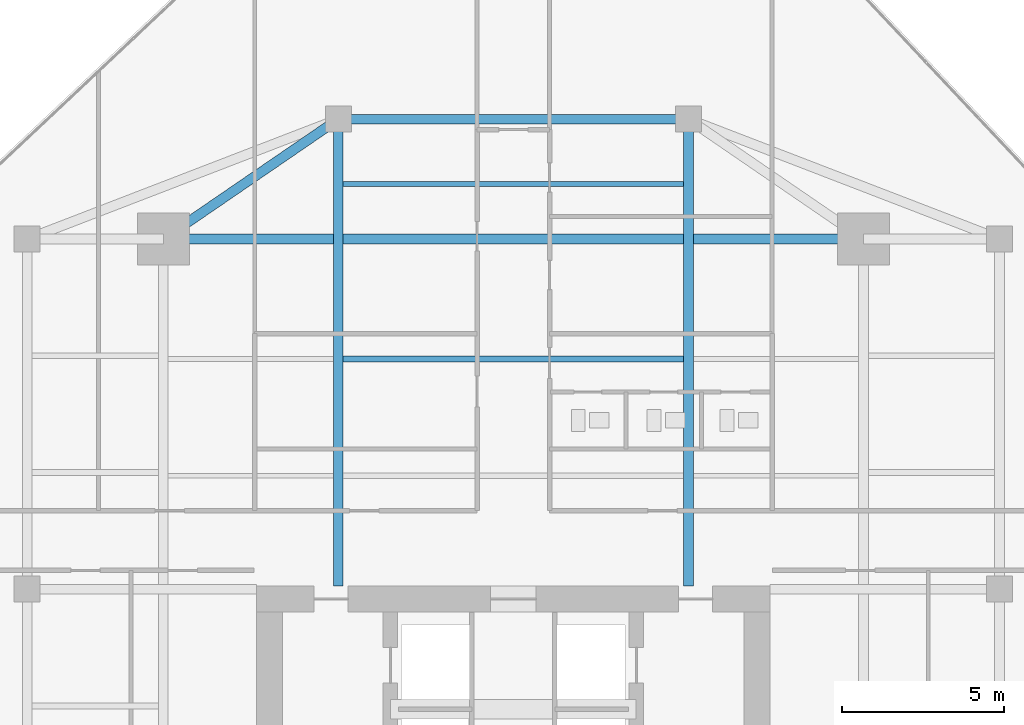
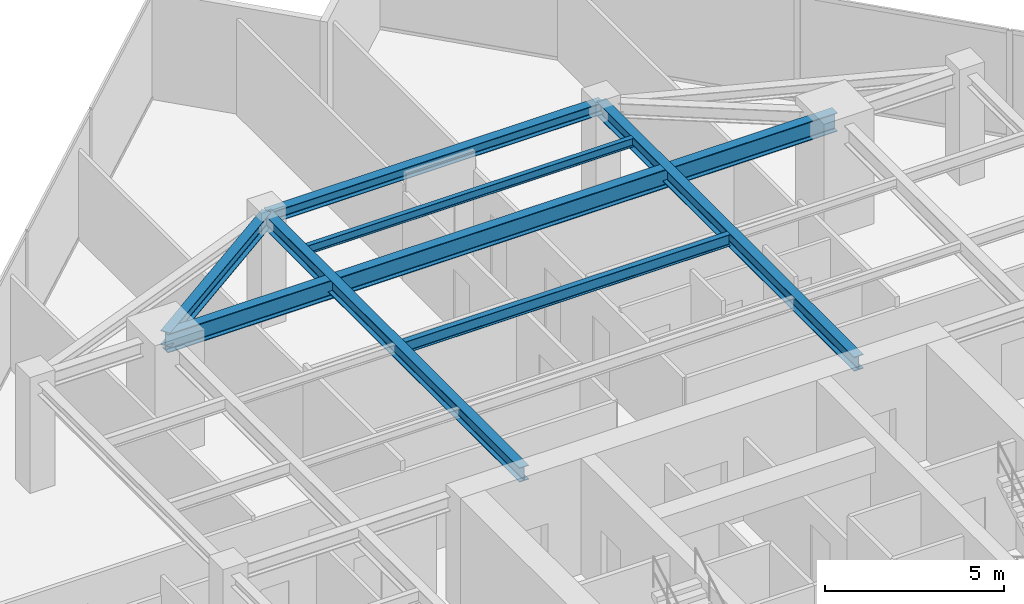
# One storey, part 15 of 24: 7 beams.
"""IFC4 building model written with IfcOpenShell, lengths in metres."""

from ifc_helpers import new_model, si_unit, direction, frame, origin, origin_2d, place, context, subcontext, project, spatial, i_section, extrude, source, transform, mapped, material, material_profile, profile_set, type_object, type_shapes, element, save


model = new_model("IFC4")

# Units and contexts
model_context = context("Model", 3, precision=1e-05, world=origin(), true_north=direction((0.0, 1.0)))
body_context = subcontext(model_context, "Body", "Model", "MODEL_VIEW")
ifc_project = project(units=[si_unit("LENGTHUNIT", "METRE"), si_unit("AREAUNIT", "SQUARE_METRE"), si_unit("VOLUMEUNIT", "CUBIC_METRE"), si_unit("PLANEANGLEUNIT", "RADIAN"), si_unit("MASSUNIT", "GRAM", prefix="KILO")], contexts=[model_context])

# Site, building, storey
site_placement = place(None, origin())
site = spatial("IfcSite", under=ifc_project, at=site_placement, CompositionType="ELEMENT")
building_placement = place(site_placement, origin())
building = spatial("IfcBuilding", under=site, at=building_placement, Name="Krantzveldt Concourse Tower", CompositionType="ELEMENT")
storey_placement = place(building_placement, frame((0.0, 0.0, 246.800048828125)))
storey = spatial("IfcBuildingStorey", under=building, at=storey_placement, Name="L60", CompositionType="ELEMENT", Elevation=246.800048828125)

# Beams
ifc_material = material(Name="Steel S355JR", Category="steel")
ifc_material_profile_1 = material_profile(ifc_material, i_section(OverallWidth=0.300048828125, OverallDepth=0.639892578125, WebThickness=0.013427734375, FlangeThickness=0.02587890625, FilletRadius=0.027099609375, at=origin_2d()), Name="Steel S355JR", Category="steel")
ifc_profile_set_1 = profile_set([ifc_material_profile_1], Name="Steel S355JR - HEA 650")
beam_type_1 = type_object("IfcBeamType", Name="BM-B-HEA650", PredefinedType="BEAM", material=ifc_profile_set_1)
shared_shape_1 = source(origin(), body_context, "Body", "SweptSolid", [
    extrude(i_section(OverallWidth=0.300048828125, OverallDepth=0.639892578125, WebThickness=0.013427734375, FlangeThickness=0.02587890625, FilletRadius=0.027099609375, at=origin_2d()), origin(), (0.0, 0.0, 1.0), 21.60009765625),
])
type_shapes(beam_type_1, [shared_shape_1])
beam_1_placement = place(storey_placement, frame((25.199951171875, 37.5, 3.349853515625), z_axis=(1.0, 0.0, 0.0), x_axis=(0.0, 1.0, 0.0)))
element("IfcBeam", 1, at=beam_1_placement, inside=storey, type_object=beam_type_1, Name="L60 Tower Girder BG-MN", PredefinedType="BEAM", context=body_context, shape_type="MappedRepresentation", body=[
    mapped(shared_shape_1, transform((0.0, 0.0, 0.0), x_axis=(1.0, 0.0, 0.0), y_axis=(0.0, 1.0, 0.0), z_axis=(0.0, 0.0, 1.0), scale=1.0)),
])
ifc_material_profile_2 = material_profile(ifc_material, i_section(OverallWidth=0.179931640625, OverallDepth=0.39990234375, WebThickness=0.008544921875, FlangeThickness=0.013427734375, FilletRadius=0.02099609375, at=origin_2d()), Name="Steel S355JR", Category="steel")
ifc_profile_set_2 = profile_set([ifc_material_profile_2], Name="Steel S355JR - IPE 400")
beam_type_2 = type_object("IfcBeamType", Name="BM-J-IPE400", PredefinedType="JOIST", material=ifc_profile_set_2)
shared_shape_2 = source(origin(), body_context, "Body", "SweptSolid", [
    extrude(i_section(OverallWidth=0.179931640625, OverallDepth=0.39990234375, WebThickness=0.008544921875, FlangeThickness=0.013427734375, FilletRadius=0.02099609375, at=origin_2d()), origin(), (0.0, 0.0, 1.0), 10.5),
])
type_shapes(beam_type_2, [shared_shape_2])
beam_2_placement = place(storey_placement, frame((30.75, 33.800048828125, 3.469970703125), z_axis=(1.0, 0.0, 0.0), x_axis=(0.0, 1.0, 0.0)))
element("IfcBeam", 2, at=beam_2_placement, inside=storey, type_object=beam_type_2, Name="L60 Secondary Floor Joist JN-C2", PredefinedType="JOIST", context=body_context, shape_type="MappedRepresentation", body=[
    mapped(shared_shape_2, transform((0.0, 0.0, 0.0), x_axis=(1.0, 0.0, 0.0), y_axis=(0.0, 1.0, 0.0), z_axis=(0.0, 0.0, 1.0), scale=1.0)),
])
ifc_material_profile_3 = material_profile(ifc_material, i_section(OverallWidth=0.300048828125, OverallDepth=0.389892578125, WebThickness=0.010986328125, FlangeThickness=0.01904296875, FilletRadius=0.027099609375, at=origin_2d()), Name="Steel S355JR", Category="steel")
ifc_profile_set_3 = profile_set([ifc_material_profile_3], Name="Steel S355JR - HEA 400")
beam_type_3 = type_object("IfcBeamType", Name="BM-SP-HEA400", PredefinedType="SPANDREL", material=ifc_profile_set_3)
shared_shape_3 = source(origin(), body_context, "Body", "SweptSolid", [
    extrude(i_section(OverallWidth=0.300048828125, OverallDepth=0.389892578125, WebThickness=0.010986328125, FlangeThickness=0.01904296875, FilletRadius=0.027099609375, at=origin_2d()), origin(), (0.0, 0.0, 1.0), 10.7998046875),
])
type_shapes(beam_type_3, [shared_shape_3])
beam_3_placement = place(storey_placement, frame((30.60009765625, 41.199951171875, 3.474853515625), z_axis=(1.0, 0.0, 0.0), x_axis=(0.0, 1.0, 0.0)))
element("IfcBeam", 3, at=beam_3_placement, inside=storey, type_object=beam_type_3, Name="L60 Tower Girder SP-R04", PredefinedType="SPANDREL", context=body_context, shape_type="MappedRepresentation", body=[
    mapped(shared_shape_3, transform((0.0, 0.0, 0.0), x_axis=(1.0, 0.0, 0.0), y_axis=(0.0, 1.0, 0.0), z_axis=(0.0, 0.0, 1.0), scale=1.0)),
])
ifc_material_profile_4 = material_profile(ifc_material, i_section(OverallWidth=0.300048828125, OverallDepth=0.489990234375, WebThickness=0.011962890625, FlangeThickness=0.02294921875, FilletRadius=0.027099609375, at=origin_2d()), Name="Steel S355JR", Category="steel")
ifc_profile_set_4 = profile_set([ifc_material_profile_4], Name="Steel S355JR - HEA 500")
beam_type_4 = type_object("IfcBeamType", Name="BM-B-HEA500", PredefinedType="BEAM", material=ifc_profile_set_4)
shared_shape_4 = source(origin(), body_context, "Body", "SweptSolid", [
    extrude(i_section(OverallWidth=0.300048828125, OverallDepth=0.489990234375, WebThickness=0.011962890625, FlangeThickness=0.02294921875, FilletRadius=0.027099609375, at=origin_2d()), origin(), (0.0, 0.0, 1.0), 14.39990234375),
])
for number, where, z_axis, x_axis, name in (
    (4, (30.60009765625, 26.800048828125, 3.425048828125), (0.0, 1.0, 0.0), (-1.0, 0.0, 0.0), "L60 Tower Girder BG-CNW"),
    (5, (41.39990234375, 26.800048828125, 3.425048828125), (0.0, 1.0, 0.0), (-1.0, 0.0, 0.0), "L60 Tower Girder BG-CNE"),
):
    element("IfcBeam", number, at=place(storey_placement, frame(where, z_axis=z_axis, x_axis=x_axis)), inside=storey, type_object=beam_type_4, Name=name, PredefinedType="BEAM", context=body_context, shape_type="MappedRepresentation", body=[
        mapped(shared_shape_4, transform((0.0, 0.0, 0.0), x_axis=(1.0, 0.0, 0.0), y_axis=(0.0, 1.0, 0.0), z_axis=(0.0, 0.0, 1.0), scale=1.0)),
    ])
shared_shape_5 = source(origin(), body_context, "Body", "SweptSolid", [
    extrude(i_section(OverallWidth=0.300048828125, OverallDepth=0.489990234375, WebThickness=0.011962890625, FlangeThickness=0.02294921875, FilletRadius=0.027099609375, at=origin_2d()), origin(), (0.0, 0.0, 1.0), 6.546142578125),
])
type_shapes(beam_type_4, [shared_shape_4, shared_shape_5])
beam_4_placement = place(storey_placement, frame((25.199951171875, 37.5, 3.425048828125), z_axis=(0.824942999484, 0.565215930068, 0.0), x_axis=(-0.565215930068, 0.824942999484, 0.0)))
element("IfcBeam", 6, at=beam_4_placement, inside=storey, type_object=beam_type_4, Name="L60 Tower Girder BR-RL4", PredefinedType="BEAM", context=body_context, shape_type="MappedRepresentation", body=[
    mapped(shared_shape_5, transform((0.0, 0.0, 0.0), x_axis=(1.0, 0.0, 0.0), y_axis=(0.0, 1.0, 0.0), z_axis=(0.0, 0.0, 1.0), scale=1.0)),
])
ifc_material_profile_5 = material_profile(ifc_material, i_section(OverallWidth=0.14990234375, OverallDepth=0.300048828125, WebThickness=0.007080078125, FlangeThickness=0.0107421875, FilletRadius=0.014892578125, at=origin_2d()), Name="Steel S355JR", Category="steel")
ifc_profile_set_5 = profile_set([ifc_material_profile_5], Name="Steel S355JR - IPE 300")
beam_type_5 = type_object("IfcBeamType", Name="BM-J-IPE300", PredefinedType="JOIST", material=ifc_profile_set_5)
shared_shape_6 = source(origin(), body_context, "Body", "SweptSolid", [
    extrude(i_section(OverallWidth=0.14990234375, OverallDepth=0.300048828125, WebThickness=0.007080078125, FlangeThickness=0.0107421875, FilletRadius=0.014892578125, at=origin_2d()), origin(), (0.0, 0.0, 1.0), 10.5),
])
type_shapes(beam_type_5, [shared_shape_6])
beam_5_placement = place(storey_placement, frame((30.75, 39.199951171875, 3.52001953125), z_axis=(1.0, 0.0, 0.0), x_axis=(0.0, 1.0, 0.0)))
element("IfcBeam", 7, at=beam_5_placement, inside=storey, type_object=beam_type_5, Name="L60 Secondary Floor Joist JN-C3", PredefinedType="JOIST", context=body_context, shape_type="MappedRepresentation", body=[
    mapped(shared_shape_6, transform((0.0, 0.0, 0.0), x_axis=(1.0, 0.0, 0.0), y_axis=(0.0, 1.0, 0.0), z_axis=(0.0, 0.0, 1.0), scale=1.0)),
])

save(model, "model.ifc")
